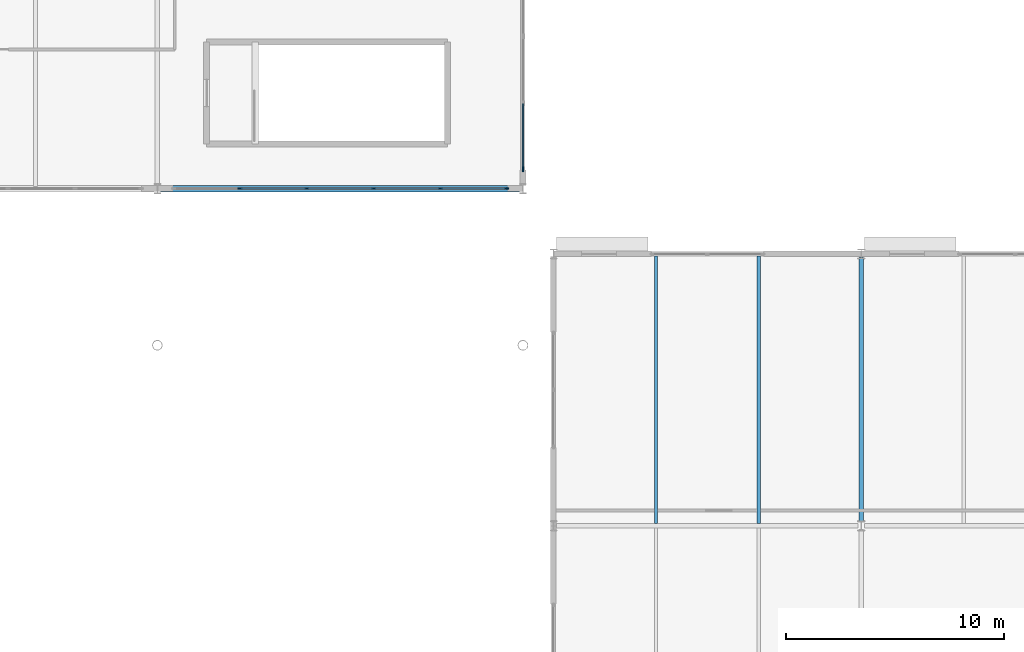
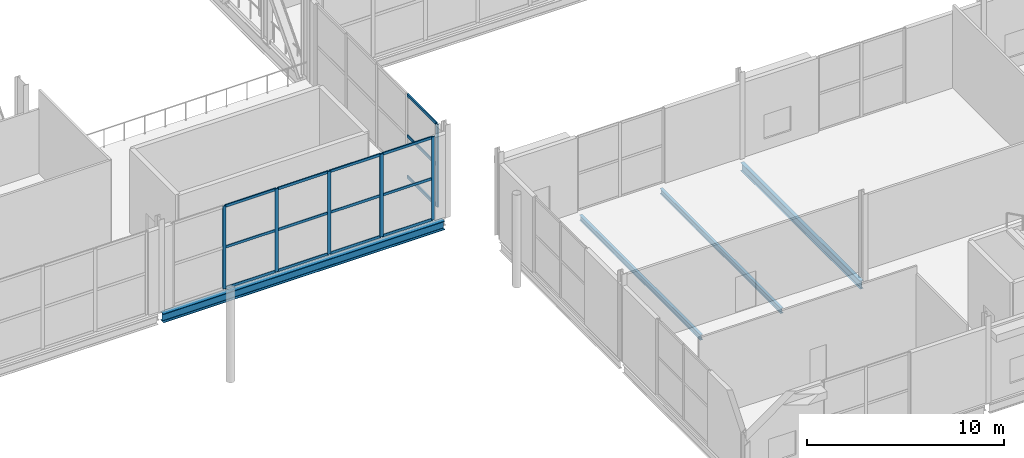
# One storey, part 38 of 84: 21 members, 4 beams, 2 elements without a shape of their own.
"""IFC4 building model written with IfcOpenShell, lengths in metres."""

from ifc_helpers import new_model, si_unit, direction, frame, origin, origin_2d, place, context, subcontext, project, spatial, rectangle, i_section, extrude, material, material_profile, profile_set, type_object, element, aggregate, save


model = new_model("IFC4")

# Units and contexts
model_context = context("Model", 3, precision=1e-05, world=origin(), true_north=direction((0.0, 1.0)))
body_context = subcontext(model_context, "Body", "Model", "MODEL_VIEW")
ifc_project = project(units=[si_unit("LENGTHUNIT", "METRE"), si_unit("AREAUNIT", "SQUARE_METRE"), si_unit("VOLUMEUNIT", "CUBIC_METRE"), si_unit("PLANEANGLEUNIT", "RADIAN"), si_unit("MASSUNIT", "GRAM", prefix="KILO")], contexts=[model_context])

# Site, building, storey
site_placement = place(None, origin())
site = spatial("IfcSite", under=ifc_project, at=site_placement, CompositionType="ELEMENT")
building_placement = place(site_placement, origin())
building = spatial("IfcBuilding", under=site, at=building_placement, Name="Kimbaza Rail Terminus", CompositionType="ELEMENT")
storey_placement = place(building_placement, frame((0.0, 0.0, 5.39990234375)))
storey = spatial("IfcBuildingStorey", under=building, at=storey_placement, Name="L01", CompositionType="ELEMENT", Elevation=5.39990234375)

# Curtain wall, member
ifc_material_1 = material(Name="Anodised aluminium framing and solar low-E glazing", Category="aluminium")
curtain_wall_type_1 = type_object("IfcCurtainWallType", Name="ARC-CW-TH1", PredefinedType="USERDEFINED", material=ifc_material_1)
curtain_wall_1_placement = place(storey_placement, origin())
curtain_wall_1 = element("IfcCurtainWall", 1, at=curtain_wall_1_placement, inside=storey, type_object=curtain_wall_type_1, Name="Concourse E Return Curtain Wall L01", ObjectType="UNITISED CURTAIN WALL", PredefinedType="USERDEFINED")
ifc_material_2 = material(Name="Anodised architectural aluminium", Category="aluminium")
ifc_material_profile_1 = material_profile(ifc_material_2, rectangle(XDim=0.074951171875, YDim=0.219970703125, at=origin_2d()), Name="MULLION 75x220")
ifc_profile_set_1 = profile_set([ifc_material_profile_1], Name="Anodised architectural aluminium")
member_type_1 = type_object("IfcMemberType", Name="ARC-CWM-01", PredefinedType="MULLION", material=ifc_profile_set_1)
member_1_placement = place(storey_placement, frame((156.0, 41.8974609375, 0.0), z_axis=(0.0, 0.0, 1.0), x_axis=(-1.0, 0.0, 0.0)))
member_1 = element("IfcMember", 2, at=member_1_placement, type_object=member_type_1, Name="CW-01 mullion 1", PredefinedType="MULLION", context=body_context, shape_type="SweptSolid", body=[
    extrude(rectangle(XDim=0.074951171875, YDim=0.219970703125, at=origin_2d()), origin(), (0.0, 0.0, 1.0), 5.14013671875),
])

# Curtain wall, members
ifc_material_3 = material(Name="Anodised aluminium framing and solar low-E glazing", Category="aluminium")
curtain_wall_type_2 = type_object("IfcCurtainWallType", Name="ARC-CW-CN1", PredefinedType="USERDEFINED", material=ifc_material_3)
curtain_wall_2_placement = place(storey_placement, origin())
curtain_wall_2 = element("IfcCurtainWall", 3, at=curtain_wall_2_placement, inside=storey, type_object=curtain_wall_type_2, Name="South Concourse Upper Glazing L01 Bay 6", ObjectType="UNITISED CURTAIN WALL", PredefinedType="USERDEFINED")
ifc_material_4 = material(Name="Anodised architectural aluminium", Category="aluminium")
ifc_material_profile_2 = material_profile(ifc_material_4, rectangle(XDim=0.070068359375, YDim=0.199951171875, at=origin_2d()), Name="MULLION 70x200")
ifc_profile_set_2 = profile_set([ifc_material_profile_2], Name="Anodised architectural aluminium")
member_type_2 = type_object("IfcMemberType", Name="ARC-CWM-02", PredefinedType="MULLION", material=ifc_profile_set_2)
member_2_placement = place(storey_placement, frame((142.991943359375, 41.0, 0.0), z_axis=(0.0, 0.0, 1.0), x_axis=(0.0, 1.0, 0.0)))
member_2 = element("IfcMember", 4, at=member_2_placement, type_object=member_type_2, Name="CW-02 mullion 2", PredefinedType="MULLION", context=body_context, shape_type="SweptSolid", body=[
    extrude(rectangle(XDim=0.070068359375, YDim=0.199951171875, at=origin_2d()), origin(), (0.0, 0.0, 1.0), 5.14013671875),
])
member_3_placement = place(storey_placement, frame((146.06396484375, 41.0, 0.0), z_axis=(0.0, 0.0, 1.0), x_axis=(0.0, 1.0, 0.0)))
member_3 = element("IfcMember", 5, at=member_3_placement, type_object=member_type_2, Name="CW-02 mullion 3", PredefinedType="MULLION", context=body_context, shape_type="SweptSolid", body=[
    extrude(rectangle(XDim=0.070068359375, YDim=0.199951171875, at=origin_2d()), origin(), (0.0, 0.0, 1.0), 5.14013671875),
])
member_4_placement = place(storey_placement, frame((149.135986328125, 41.0, 0.0), z_axis=(0.0, 0.0, 1.0), x_axis=(0.0, 1.0, 0.0)))
member_4 = element("IfcMember", 6, at=member_4_placement, type_object=member_type_2, Name="CW-02 mullion 4", PredefinedType="MULLION", context=body_context, shape_type="SweptSolid", body=[
    extrude(rectangle(XDim=0.070068359375, YDim=0.199951171875, at=origin_2d()), origin(), (0.0, 0.0, 1.0), 5.14013671875),
])
member_5_placement = place(storey_placement, frame((152.2080078125, 41.0, 0.0), z_axis=(0.0, 0.0, 1.0), x_axis=(0.0, 1.0, 0.0)))
member_5 = element("IfcMember", 7, at=member_5_placement, type_object=member_type_2, Name="CW-02 mullion 5", PredefinedType="MULLION", context=body_context, shape_type="SweptSolid", body=[
    extrude(rectangle(XDim=0.070068359375, YDim=0.199951171875, at=origin_2d()), origin(), (0.0, 0.0, 1.0), 5.14013671875),
])
member_6_placement = place(storey_placement, frame((155.2451171875, 41.0, 0.0), z_axis=(0.0, 0.0, 1.0), x_axis=(0.0, 1.0, 0.0)))
member_6 = element("IfcMember", 8, at=member_6_placement, type_object=member_type_2, Name="CW-02 mullion 6", PredefinedType="MULLION", context=body_context, shape_type="SweptSolid", body=[
    extrude(rectangle(XDim=0.070068359375, YDim=0.199951171875, at=origin_2d()), origin(), (0.0, 0.0, 1.0), 5.14013671875),
])

# Member
ifc_material_5 = material(Name="Anodised architectural aluminium", Category="aluminium")
ifc_material_profile_3 = material_profile(ifc_material_5, rectangle(XDim=0.074951171875, YDim=0.179931640625, at=origin_2d()), Name="TRANSOM 75x180")
ifc_profile_set_3 = profile_set([ifc_material_profile_3], Name="Anodised architectural aluminium")
member_type_3 = type_object("IfcMemberType", Name="ARC-CWT-01", PredefinedType="USERDEFINED", material=ifc_profile_set_3)
member_7_placement = place(storey_placement, frame((156.0, 41.93505859375, 0.03759765625), z_axis=(0.0, 1.0, 0.0), x_axis=(-1.0, 0.0, 0.0)))
member_7 = element("IfcMember", 9, at=member_7_placement, type_object=member_type_3, Name="CW-01 transom 1.1", ObjectType="TRANSOM", PredefinedType="USERDEFINED", context=body_context, shape_type="SweptSolid", body=[
    extrude(rectangle(XDim=0.074951171875, YDim=0.179931640625, at=origin_2d()), origin(), (0.0, 0.0, 1.0), 2.95751953125),
])

member_8_placement = place(storey_placement, frame((156.0, 41.93505859375, 2.570068359375), z_axis=(0.0, 1.0, 0.0), x_axis=(-1.0, 0.0, 0.0)))
member_8 = element("IfcMember", 10, at=member_8_placement, type_object=member_type_3, Name="CW-01 transom 1.2", ObjectType="TRANSOM", PredefinedType="USERDEFINED", context=body_context, shape_type="SweptSolid", body=[
    extrude(rectangle(XDim=0.074951171875, YDim=0.179931640625, at=origin_2d()), origin(), (0.0, 0.0, 1.0), 2.95751953125),
])

member_9_placement = place(storey_placement, frame((156.0, 41.93505859375, 5.1025390625), z_axis=(0.0, 1.0, 0.0), x_axis=(-1.0, 0.0, 0.0)))
member_9 = element("IfcMember", 11, at=member_9_placement, type_object=member_type_3, Name="CW-01 transom 1.3", ObjectType="TRANSOM", PredefinedType="USERDEFINED", context=body_context, shape_type="SweptSolid", body=[
    extrude(rectangle(XDim=0.074951171875, YDim=0.179931640625, at=origin_2d()), origin(), (0.0, 0.0, 1.0), 2.95751953125),
])

aggregate(curtain_wall_1, [member_1, member_7, member_8, member_9])

ifc_material_6 = material(Name="Anodised architectural aluminium", Category="aluminium")
ifc_material_profile_4 = material_profile(ifc_material_6, rectangle(XDim=0.070068359375, YDim=0.159912109375, at=origin_2d()), Name="TRANSOM 70x160")
ifc_profile_set_4 = profile_set([ifc_material_profile_4], Name="Anodised architectural aluminium")
member_type_4 = type_object("IfcMemberType", Name="ARC-CWT-02", PredefinedType="USERDEFINED", material=ifc_profile_set_4)
member_10_placement = place(storey_placement, frame((143.027099609375, 41.0, 0.03515625), z_axis=(1.0, 0.0, 0.0), x_axis=(0.0, 1.0, 0.0)))
member_10 = element("IfcMember", 12, at=member_10_placement, type_object=member_type_4, Name="CW-02 transom 2.1", ObjectType="TRANSOM", PredefinedType="USERDEFINED", context=body_context, shape_type="SweptSolid", body=[
    extrude(rectangle(XDim=0.070068359375, YDim=0.159912109375, at=origin_2d()), origin(), (0.0, 0.0, 1.0), 3.001953125),
])

member_11_placement = place(storey_placement, frame((143.027099609375, 41.0, 2.570068359375), z_axis=(1.0, 0.0, 0.0), x_axis=(0.0, 1.0, 0.0)))
member_11 = element("IfcMember", 13, at=member_11_placement, type_object=member_type_4, Name="CW-02 transom 2.2", ObjectType="TRANSOM", PredefinedType="USERDEFINED", context=body_context, shape_type="SweptSolid", body=[
    extrude(rectangle(XDim=0.070068359375, YDim=0.159912109375, at=origin_2d()), origin(), (0.0, 0.0, 1.0), 3.001953125),
])

member_12_placement = place(storey_placement, frame((143.027099609375, 41.0, 5.10498046875), z_axis=(1.0, 0.0, 0.0), x_axis=(0.0, 1.0, 0.0)))
member_12 = element("IfcMember", 14, at=member_12_placement, type_object=member_type_4, Name="CW-02 transom 2.3", ObjectType="TRANSOM", PredefinedType="USERDEFINED", context=body_context, shape_type="SweptSolid", body=[
    extrude(rectangle(XDim=0.070068359375, YDim=0.159912109375, at=origin_2d()), origin(), (0.0, 0.0, 1.0), 3.001953125),
])

member_13_placement = place(storey_placement, frame((146.09912109375, 41.0, 0.03515625), z_axis=(1.0, 0.0, 0.0), x_axis=(0.0, 1.0, 0.0)))
member_13 = element("IfcMember", 15, at=member_13_placement, type_object=member_type_4, Name="CW-02 transom 3.1", ObjectType="TRANSOM", PredefinedType="USERDEFINED", context=body_context, shape_type="SweptSolid", body=[
    extrude(rectangle(XDim=0.070068359375, YDim=0.159912109375, at=origin_2d()), origin(), (0.0, 0.0, 1.0), 3.001953125),
])

member_14_placement = place(storey_placement, frame((146.09912109375, 41.0, 2.570068359375), z_axis=(1.0, 0.0, 0.0), x_axis=(0.0, 1.0, 0.0)))
member_14 = element("IfcMember", 16, at=member_14_placement, type_object=member_type_4, Name="CW-02 transom 3.2", ObjectType="TRANSOM", PredefinedType="USERDEFINED", context=body_context, shape_type="SweptSolid", body=[
    extrude(rectangle(XDim=0.070068359375, YDim=0.159912109375, at=origin_2d()), origin(), (0.0, 0.0, 1.0), 3.001953125),
])

member_15_placement = place(storey_placement, frame((146.09912109375, 41.0, 5.10498046875), z_axis=(1.0, 0.0, 0.0), x_axis=(0.0, 1.0, 0.0)))
member_15 = element("IfcMember", 17, at=member_15_placement, type_object=member_type_4, Name="CW-02 transom 3.3", ObjectType="TRANSOM", PredefinedType="USERDEFINED", context=body_context, shape_type="SweptSolid", body=[
    extrude(rectangle(XDim=0.070068359375, YDim=0.159912109375, at=origin_2d()), origin(), (0.0, 0.0, 1.0), 3.001953125),
])

member_16_placement = place(storey_placement, frame((149.1708984375, 41.0, 0.03515625), z_axis=(1.0, 0.0, 0.0), x_axis=(0.0, 1.0, 0.0)))
member_16 = element("IfcMember", 18, at=member_16_placement, type_object=member_type_4, Name="CW-02 transom 4.1", ObjectType="TRANSOM", PredefinedType="USERDEFINED", context=body_context, shape_type="SweptSolid", body=[
    extrude(rectangle(XDim=0.070068359375, YDim=0.159912109375, at=origin_2d()), origin(), (0.0, 0.0, 1.0), 3.002197265625),
])

member_17_placement = place(storey_placement, frame((149.1708984375, 41.0, 2.570068359375), z_axis=(1.0, 0.0, 0.0), x_axis=(0.0, 1.0, 0.0)))
member_17 = element("IfcMember", 19, at=member_17_placement, type_object=member_type_4, Name="CW-02 transom 4.2", ObjectType="TRANSOM", PredefinedType="USERDEFINED", context=body_context, shape_type="SweptSolid", body=[
    extrude(rectangle(XDim=0.070068359375, YDim=0.159912109375, at=origin_2d()), origin(), (0.0, 0.0, 1.0), 3.002197265625),
])

member_18_placement = place(storey_placement, frame((149.1708984375, 41.0, 5.10498046875), z_axis=(1.0, 0.0, 0.0), x_axis=(0.0, 1.0, 0.0)))
member_18 = element("IfcMember", 20, at=member_18_placement, type_object=member_type_4, Name="CW-02 transom 4.3", ObjectType="TRANSOM", PredefinedType="USERDEFINED", context=body_context, shape_type="SweptSolid", body=[
    extrude(rectangle(XDim=0.070068359375, YDim=0.159912109375, at=origin_2d()), origin(), (0.0, 0.0, 1.0), 3.002197265625),
])

member_19_placement = place(storey_placement, frame((152.242919921875, 41.0, 0.03515625), z_axis=(1.0, 0.0, 0.0), x_axis=(0.0, 1.0, 0.0)))
member_19 = element("IfcMember", 21, at=member_19_placement, type_object=member_type_4, Name="CW-02 transom 5.1", ObjectType="TRANSOM", PredefinedType="USERDEFINED", context=body_context, shape_type="SweptSolid", body=[
    extrude(rectangle(XDim=0.070068359375, YDim=0.159912109375, at=origin_2d()), origin(), (0.0, 0.0, 1.0), 2.967041015625),
])

member_20_placement = place(storey_placement, frame((152.242919921875, 41.0, 2.570068359375), z_axis=(1.0, 0.0, 0.0), x_axis=(0.0, 1.0, 0.0)))
member_20 = element("IfcMember", 22, at=member_20_placement, type_object=member_type_4, Name="CW-02 transom 5.2", ObjectType="TRANSOM", PredefinedType="USERDEFINED", context=body_context, shape_type="SweptSolid", body=[
    extrude(rectangle(XDim=0.070068359375, YDim=0.159912109375, at=origin_2d()), origin(), (0.0, 0.0, 1.0), 2.967041015625),
])

member_21_placement = place(storey_placement, frame((152.242919921875, 41.0, 5.10498046875), z_axis=(1.0, 0.0, 0.0), x_axis=(0.0, 1.0, 0.0)))
member_21 = element("IfcMember", 23, at=member_21_placement, type_object=member_type_4, Name="CW-02 transom 5.3", ObjectType="TRANSOM", PredefinedType="USERDEFINED", context=body_context, shape_type="SweptSolid", body=[
    extrude(rectangle(XDim=0.070068359375, YDim=0.159912109375, at=origin_2d()), origin(), (0.0, 0.0, 1.0), 2.967041015625),
])

aggregate(curtain_wall_2, [member_2, member_3, member_4, member_5, member_6, member_10, member_11, member_12, member_13, member_14, member_15, member_16, member_17, member_18, member_19, member_20, member_21])

# Beams
ifc_material_7 = material(Name="Steel S355", Category="steel")
ifc_material_profile_5 = material_profile(ifc_material_7, i_section(OverallWidth=0.300048828125, OverallDepth=0.550048828125, WebThickness=0.014892578125, FlangeThickness=0.029052734375, FilletRadius=0.027099609375, at=origin_2d()), Name="HEB 550")
ifc_profile_set_5 = profile_set([ifc_material_profile_5], Name="Steel S355")
beam_type_1 = type_object("IfcBeamType", Name="STR-BM-HEB550", PredefinedType="BEAM", material=ifc_profile_set_5)
beam_1_placement = place(storey_placement, frame((139.345947265625, 41.0, -0.494873046875), z_axis=(1.0, 0.0, 0.0), x_axis=(0.0, 1.0, 0.0)))
element("IfcBeam", 24, at=beam_1_placement, inside=storey, type_object=beam_type_1, Name="Beam BM-V2X-L01-41-5", PredefinedType="BEAM", context=body_context, shape_type="SweptSolid", body=[
    extrude(i_section(OverallWidth=0.300048828125, OverallDepth=0.550048828125, WebThickness=0.014892578125, FlangeThickness=0.029052734375, FilletRadius=0.027099609375, at=origin_2d()), origin(), (0.0, 0.0, 1.0), 16.508056640625),
])
ifc_material_8 = material(Name="Steel S355", Category="steel")
ifc_material_profile_6 = material_profile(ifc_material_8, i_section(OverallWidth=0.159912109375, OverallDepth=0.330078125, WebThickness=0.007568359375, FlangeThickness=0.011474609375, FilletRadius=0.01806640625, at=origin_2d()), Name="IPE 330")
ifc_profile_set_6 = profile_set([ifc_material_profile_6], Name="Steel S355")
beam_type_2 = type_object("IfcBeamType", Name="STR-BM-IPE330", PredefinedType="JOIST", material=ifc_profile_set_6)
for number, where, z_axis, x_axis, name in (
    (25, (162.11669921875, 25.60009765625, -0.385009765625), (0.0, 1.0, 0.0), (-1.0, 0.0, 0.0), "Beam JST-V4-L01-0-1-1"),
    (26, (166.833251953125, 25.60009765625, -0.385009765625), (0.0, 1.0, 0.0), (-1.0, 0.0, 0.0), "Beam JST-V4-L01-0-2-1"),
):
    element("IfcBeam", number, at=place(storey_placement, frame(where, z_axis=z_axis, x_axis=x_axis)), inside=storey, type_object=beam_type_2, Name=name, PredefinedType="JOIST", context=body_context, shape_type="SweptSolid", body=[
        extrude(i_section(OverallWidth=0.159912109375, OverallDepth=0.330078125, WebThickness=0.007568359375, FlangeThickness=0.011474609375, FilletRadius=0.01806640625, at=origin_2d()), origin(), (0.0, 0.0, 1.0), 12.2998046875),
    ])
ifc_material_9 = material(Name="Steel S355", Category="steel")
ifc_material_profile_7 = material_profile(ifc_material_9, i_section(OverallWidth=0.199951171875, OverallDepth=0.5, WebThickness=0.01025390625, FlangeThickness=0.01611328125, FilletRadius=0.02099609375, at=origin_2d()), Name="IPE 500")
ifc_profile_set_7 = profile_set([ifc_material_profile_7], Name="Steel S355")
beam_type_3 = type_object("IfcBeamType", Name="STR-BM-IPE500", PredefinedType="BEAM", material=ifc_profile_set_7)
beam_2_placement = place(storey_placement, frame((171.550048828125, 25.675048828125, -0.469970703125), z_axis=(0.0, 1.0, 0.0), x_axis=(-1.0, 0.0, 0.0)))
element("IfcBeam", 27, at=beam_2_placement, inside=storey, type_object=beam_type_3, Name="Beam BM-V4Y-L01-1-1", PredefinedType="BEAM", context=body_context, shape_type="SweptSolid", body=[
    extrude(i_section(OverallWidth=0.199951171875, OverallDepth=0.5, WebThickness=0.01025390625, FlangeThickness=0.01611328125, FilletRadius=0.02099609375, at=origin_2d()), origin(), (0.0, 0.0, 1.0), 12.14990234375),
])

save(model, "model.ifc")
